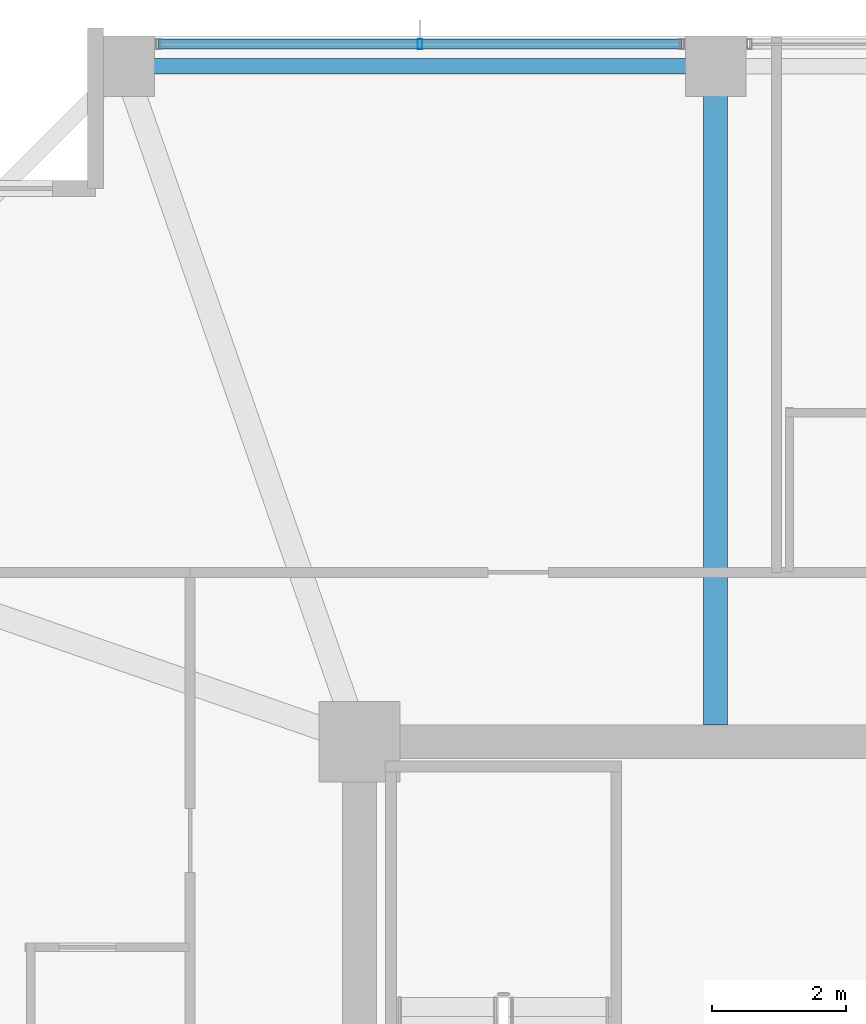
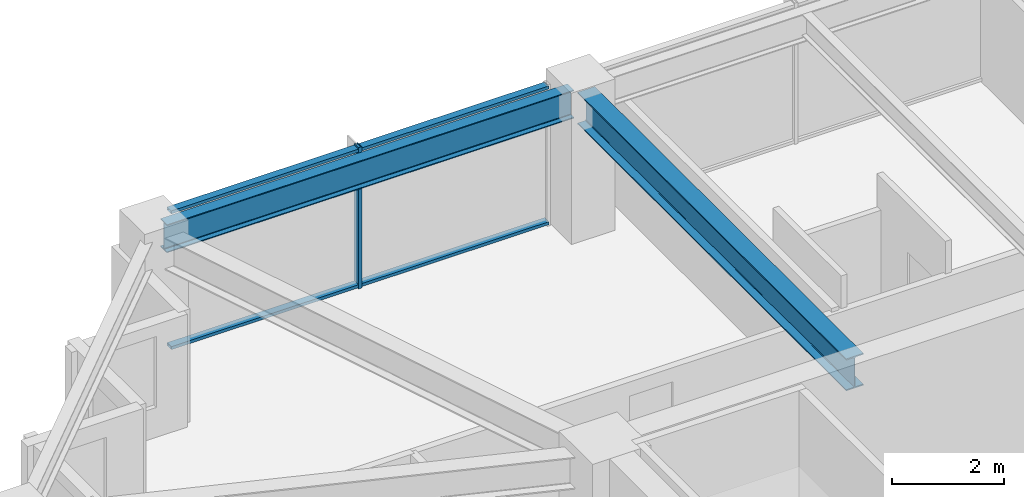
# One storey, part 17 of 34: 3 members, 2 beams, 1 element without a shape of its own.
"""IFC4 building model written with IfcOpenShell, lengths in metres."""

from ifc_helpers import new_model, si_unit, direction, frame, origin, origin_2d, place, context, subcontext, project, spatial, hollow_rectangle, i_section, extrude, material, material_profile, profile_set, type_object, element, aggregate, save


model = new_model("IFC4")

# Units and contexts
model_context = context("Model", 3, precision=1e-05, world=origin(), true_north=direction((0.0, 1.0)))
body_context = subcontext(model_context, "Body", "Model", "MODEL_VIEW")
ifc_project = project(units=[si_unit("LENGTHUNIT", "METRE"), si_unit("AREAUNIT", "SQUARE_METRE"), si_unit("VOLUMEUNIT", "CUBIC_METRE"), si_unit("PLANEANGLEUNIT", "RADIAN"), si_unit("MASSUNIT", "GRAM", prefix="KILO")], contexts=[model_context])

# Site, building, storey
site_placement = place(None, origin())
site = spatial("IfcSite", under=ifc_project, at=site_placement, CompositionType="ELEMENT")
building_placement = place(site_placement, origin())
building = spatial("IfcBuilding", under=site, at=building_placement, Name="Kolvaren Belvedere", CompositionType="ELEMENT")
storey_placement = place(building_placement, frame((0.0, 0.0, 189.89990234375)))
storey = spatial("IfcBuildingStorey", under=building, at=storey_placement, Name="L55", CompositionType="ELEMENT", Elevation=189.89990234375)

# Beams
ifc_material_1 = material(Name="Structural steel ASTM A992 Grade 50", Category="steel")
ifc_material_profile_1 = material_profile(ifc_material_1, i_section(OverallWidth=0.35498046875, OverallDepth=0.696044921875, WebThickness=0.015380859375, FlangeThickness=0.02490234375, FilletRadius=0.02197265625, at=origin_2d()), Name="W27X146")
ifc_profile_set_1 = profile_set([ifc_material_profile_1], Name="Structural steel ASTM A992 Grade 50")
beam_type_1 = type_object("IfcBeamType", Name="BM-GIRD-W27X146", PredefinedType="BEAM", material=ifc_profile_set_1)
beam_1_placement = place(storey_placement, frame((-4.60009765625, 10.14990234375, 2.732177734375), z_axis=(0.0, 1.0, 0.0), x_axis=(-1.0, 0.0, 0.0)))
element("IfcBeam", 1, at=beam_1_placement, inside=storey, type_object=beam_type_1, Name="L55 North Radial Girder M", PredefinedType="BEAM", context=body_context, shape_type="SweptSolid", body=[
    extrude(i_section(OverallWidth=0.35498046875, OverallDepth=0.696044921875, WebThickness=0.015380859375, FlangeThickness=0.02490234375, FilletRadius=0.02197265625, at=origin_2d()), origin(), (0.0, 0.0, 1.0), 9.59765625),
])
ifc_material_2 = material(Name="Structural steel ASTM A992 Grade 50", Category="steel")
ifc_material_profile_2 = material_profile(ifc_material_2, i_section(OverallWidth=0.22900390625, OverallDepth=0.612060546875, WebThickness=0.011962890625, FlangeThickness=0.01953125, FilletRadius=0.01806640625, at=origin_2d()), Name="W24X84")
ifc_profile_set_2 = profile_set([ifc_material_profile_2], Name="Structural steel ASTM A992 Grade 50")
beam_type_2 = type_object("IfcBeamType", Name="BM-SPAN-W24X84", PredefinedType="SPANDREL", material=ifc_profile_set_2)
beam_2_placement = place(storey_placement, frame((-4.802490234375, 19.949951171875, 2.774169921875), z_axis=(-1.0, 0.0, 0.0), x_axis=(0.0, -1.0, 0.0)))
element("IfcBeam", 2, at=beam_2_placement, inside=storey, type_object=beam_type_2, Name="L55 Perimeter Spandrel N2-N1", PredefinedType="SPANDREL", context=body_context, shape_type="SweptSolid", body=[
    extrude(i_section(OverallWidth=0.22900390625, OverallDepth=0.612060546875, WebThickness=0.011962890625, FlangeThickness=0.01953125, FilletRadius=0.01806640625, at=origin_2d()), origin(), (0.0, 0.0, 1.0), 8.39501953125),
])

# Curtain wall, members
ifc_material_3 = material(Name="Anodised pale-metal aluminium AA 6063-T6", Category="aluminium")
curtain_wall_type = type_object("IfcCurtainWallType", Name="CW-Z5-HIGH", PredefinedType="NOTDEFINED", material=ifc_material_3)
curtain_wall_placement = place(storey_placement, origin())
curtain_wall = element("IfcCurtainWall", 3, at=curtain_wall_placement, inside=storey, type_object=curtain_wall_type, Name="L55 Unitised Curtain Wall FCW-L55-N-B1", PredefinedType="NOTDEFINED")
ifc_material_4 = material(Name="Anodised pale-metal aluminium AA 6063-T6", Category="aluminium")
ifc_material_profile_3 = material_profile(ifc_material_4, hollow_rectangle(XDim=0.070068359375, YDim=0.14990234375, WallThickness=0.004150390625, at=origin_2d()), Name="ALU-MUL-150X70")
ifc_profile_set_3 = profile_set([ifc_material_profile_3], Name="Anodised pale-metal aluminium AA 6063-T6")
member_type_1 = type_object("IfcMemberType", Name="CW-MUL-150", PredefinedType="MULLION", material=ifc_profile_set_3)
member_1_placement = place(storey_placement, frame((-9.0, 20.280029296875, 0.0), z_axis=(0.0, 0.0, 1.0), x_axis=(1.0, 0.0, 0.0)))
member_1 = element("IfcMember", 4, at=member_1_placement, type_object=member_type_1, Name="FCW-L55-N-B1 Unitised Mullion 2", PredefinedType="MULLION", context=body_context, shape_type="SweptSolid", body=[
    extrude(hollow_rectangle(XDim=0.070068359375, YDim=0.14990234375, WallThickness=0.004150390625, at=origin_2d()), origin(), (0.0, 0.0, 1.0), 3.080078125),
])
ifc_material_5 = material(Name="Anodised pale-metal aluminium AA 6063-T6", Category="aluminium")
ifc_material_profile_4 = material_profile(ifc_material_5, hollow_rectangle(XDim=0.06494140625, YDim=0.14990234375, WallThickness=0.00390625, at=origin_2d()), Name="ALU-TRN-150X65")
ifc_profile_set_4 = profile_set([ifc_material_profile_4], Name="Anodised pale-metal aluminium AA 6063-T6")
member_type_2 = type_object("IfcMemberType", Name="CW-TRN-150", PredefinedType="USERDEFINED", material=ifc_profile_set_4)
member_2_placement = place(storey_placement, frame((-12.89501953125, 20.280029296875, 0.06005859375), z_axis=(1.0, 0.0, 0.0), x_axis=(0.0, 0.0, 1.0)))
member_2 = element("IfcMember", 5, at=member_2_placement, type_object=member_type_2, Name="FCW-L55-N-B1 Sill Transom", ObjectType="TRANSOM", PredefinedType="USERDEFINED", context=body_context, shape_type="SweptSolid", body=[
    extrude(hollow_rectangle(XDim=0.06494140625, YDim=0.14990234375, WallThickness=0.00390625, at=origin_2d()), origin(), (0.0, 0.0, 1.0), 7.7900390625),
])
member_3_placement = place(storey_placement, frame((-12.89501953125, 20.280029296875, 3.02001953125), z_axis=(1.0, 0.0, 0.0), x_axis=(0.0, 0.0, 1.0)))
member_3 = element("IfcMember", 6, at=member_3_placement, type_object=member_type_2, Name="FCW-L55-N-B1 Head Transom", ObjectType="TRANSOM", PredefinedType="USERDEFINED", context=body_context, shape_type="SweptSolid", body=[
    extrude(hollow_rectangle(XDim=0.06494140625, YDim=0.14990234375, WallThickness=0.00390625, at=origin_2d()), origin(), (0.0, 0.0, 1.0), 7.7900390625),
])
aggregate(curtain_wall, [member_1, member_2, member_3])

save(model, "model.ifc")
